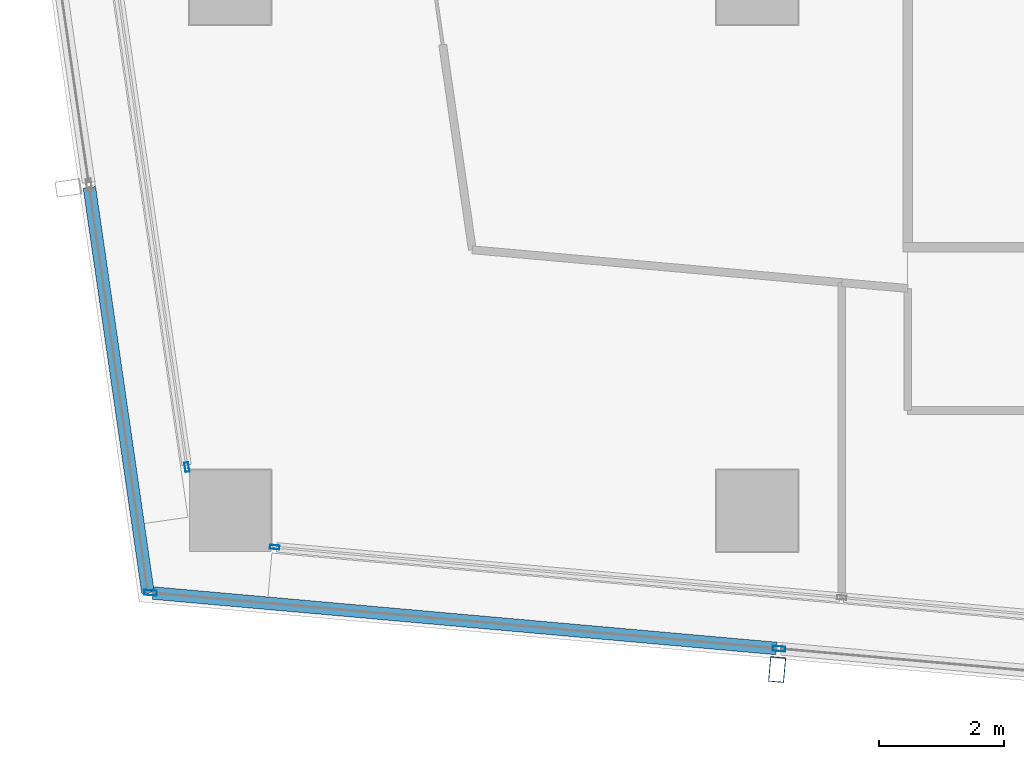
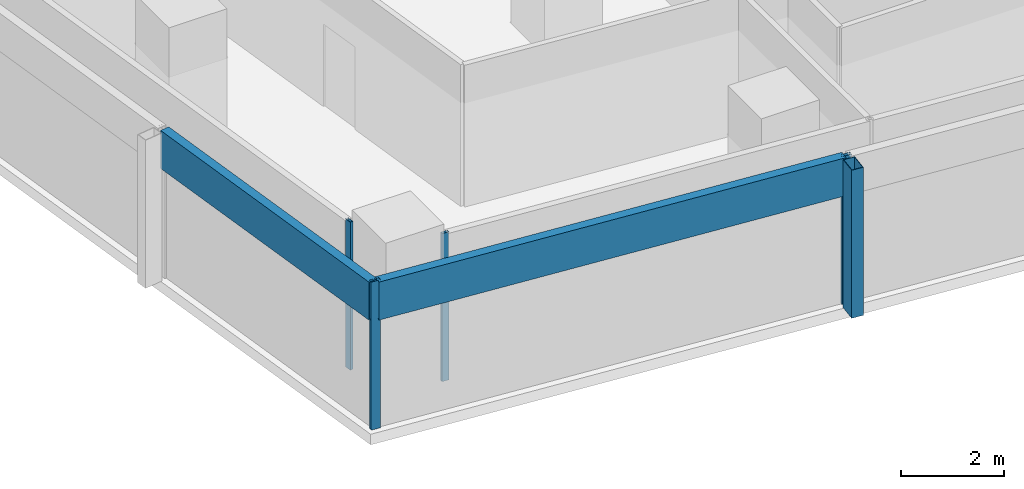
# One storey, part 2 of 29: 7 members, 4 elements without a shape of their own.
"""IFC4 building model written with IfcOpenShell, lengths in metres."""

from ifc_helpers import new_model, si_unit, direction, frame, origin, origin_2d, place, context, subcontext, project, spatial, hollow_rectangle, extrude, material, material_profile, profile_set, type_object, element, aggregate, save


model = new_model("IFC4")

# Units and contexts
model_context = context("Model", 3, precision=1e-05, world=origin(), true_north=direction((0.0, 1.0)))
body_context = subcontext(model_context, "Body", "Model", "MODEL_VIEW")
ifc_project = project(units=[si_unit("LENGTHUNIT", "METRE"), si_unit("AREAUNIT", "SQUARE_METRE"), si_unit("VOLUMEUNIT", "CUBIC_METRE"), si_unit("PLANEANGLEUNIT", "RADIAN"), si_unit("MASSUNIT", "GRAM", prefix="KILO")], contexts=[model_context])

# Site, building, storey
site_placement = place(None, origin())
site = spatial("IfcSite", under=ifc_project, at=site_placement, CompositionType="ELEMENT")
building_placement = place(site_placement, origin())
building = spatial("IfcBuilding", under=site, at=building_placement, Name="Rekha Terrace Tower", CompositionType="ELEMENT")
storey_placement = place(building_placement, frame((0.0, 0.0, 261.35009765625)))
storey = spatial("IfcBuildingStorey", under=building, at=storey_placement, Name="L66", CompositionType="ELEMENT", Elevation=261.35009765625)

# Curtain wall, member
ifc_material_1 = material(Name="Aluminium framing", Category="aluminium")
curtain_wall_type_1 = type_object("IfcCurtainWallType", Name="CW2 double skin outer glazing", PredefinedType="USERDEFINED", material=ifc_material_1)
curtain_wall_1_placement = place(storey_placement, origin())
curtain_wall_1 = element("IfcCurtainWall", 1, at=curtain_wall_1_placement, inside=storey, type_object=curtain_wall_type_1, Name="CW2 double skin outer glazing", ObjectType="DOUBLE SKIN OUTER GLAZING", PredefinedType="USERDEFINED")
ifc_material_2 = material(Name="Steel S355 with fluorocarbon finish", Category="steel")
ifc_material_profile_1 = material_profile(ifc_material_2, hollow_rectangle(XDim=0.25, YDim=0.39990234375, WallThickness=0.012451171875, at=origin_2d()), Name="RHS400x250x12.5")
ifc_profile_set_1 = profile_set([ifc_material_profile_1], Name="Steel S355 with fluorocarbon finish")
member_type_1 = type_object("IfcMemberType", Name="BL1 facade blade RHS 400 x 250", PredefinedType="USERDEFINED", material=ifc_profile_set_1)
member_1_placement = place(storey_placement, frame((17.118896484375, 14.2705078125, 0.0), z_axis=(0.0, 0.0, 1.0), x_axis=(0.996074197996, -0.088522268879, 0.0)))
member_1 = element("IfcMember", 2, at=member_1_placement, type_object=member_type_1, Name="Facade blade", ObjectType="FACADE BLADE", PredefinedType="USERDEFINED", context=body_context, shape_type="SweptSolid", body=[
    extrude(hollow_rectangle(XDim=0.25, YDim=0.39990234375, WallThickness=0.012451171875, at=origin_2d()), origin(), (0.0, 0.0, 1.0), 3.5),
])

curtain_wall_type_2 = type_object("IfcCurtainWallType", Name="CW1 double skin inner glazing", PredefinedType="USERDEFINED", material=ifc_material_1)
curtain_wall_2_placement = place(storey_placement, origin())
curtain_wall_2 = element("IfcCurtainWall", 3, at=curtain_wall_2_placement, inside=storey, type_object=curtain_wall_type_2, Name="CW1 double skin inner glazing", ObjectType="DOUBLE SKIN INNER GLAZING", PredefinedType="USERDEFINED")
ifc_material_3 = material(Name="Aluminium mullion section", Category="aluminium")
ifc_material_profile_2 = material_profile(ifc_material_3, hollow_rectangle(XDim=0.06494140625, YDim=0.14990234375, WallThickness=0.00390625, at=origin_2d()), Name="AL RHS 65x150")
ifc_profile_set_2 = profile_set([ifc_material_profile_2], Name="Aluminium mullion section")
member_type_2 = type_object("IfcMemberType", Name="CW1 mullion RHS 65 x 150", PredefinedType="MULLION", material=ifc_profile_set_2)
member_2_placement = place(storey_placement, frame((9.109130859375, 16.222412109375, 0.0), z_axis=(0.0, 0.0, 1.0), x_axis=(0.088522441405, 0.996074182663, 0.0)))
member_2 = element("IfcMember", 4, at=member_2_placement, type_object=member_type_2, Name="CW1 mullion 1", PredefinedType="MULLION", context=body_context, shape_type="SweptSolid", body=[
    extrude(hollow_rectangle(XDim=0.06494140625, YDim=0.14990234375, WallThickness=0.00390625, at=origin_2d()), origin(), (0.0, 0.0, 1.0), 3.5),
])
aggregate(curtain_wall_2, [member_2])

curtain_wall_3_placement = place(storey_placement, origin())
curtain_wall_3 = element("IfcCurtainWall", 5, at=curtain_wall_3_placement, inside=storey, type_object=curtain_wall_type_2, Name="CW1 double skin inner glazing", ObjectType="DOUBLE SKIN INNER GLAZING", PredefinedType="USERDEFINED")
member_3_placement = place(storey_placement, frame((7.71044921875, 17.497314453125, 0.0), z_axis=(0.0, 0.0, 1.0), x_axis=(0.989707031394, 0.143108322643, 0.0)))
member_3 = element("IfcMember", 6, at=member_3_placement, type_object=member_type_2, Name="CW1 mullion 2", PredefinedType="MULLION", context=body_context, shape_type="SweptSolid", body=[
    extrude(hollow_rectangle(XDim=0.06494140625, YDim=0.14990234375, WallThickness=0.00390625, at=origin_2d()), origin(), (0.0, 0.0, 1.0), 3.5),
])
aggregate(curtain_wall_3, [member_3])

# Member
ifc_material_profile_3 = material_profile(ifc_material_3, hollow_rectangle(XDim=0.080078125, YDim=0.199951171875, WallThickness=0.00390625, at=origin_2d()), Name="AL RHS 80x200")
ifc_profile_set_3 = profile_set([ifc_material_profile_3], Name="Aluminium mullion section")
member_type_3 = type_object("IfcMemberType", Name="CW2 mullion RHS 80 x 200", PredefinedType="MULLION", material=ifc_profile_set_3)
member_4_placement = place(storey_placement, frame((7.130126953125, 15.49462890625, 0.0), z_axis=(0.0, 0.0, 1.0), x_axis=(0.088522441457, 0.996074182658, 0.0)))
member_4 = element("IfcMember", 7, at=member_4_placement, type_object=member_type_3, Name="CW2 mullion 1", PredefinedType="MULLION", context=body_context, shape_type="SweptSolid", body=[
    extrude(hollow_rectangle(XDim=0.080078125, YDim=0.199951171875, WallThickness=0.00390625, at=origin_2d()), origin(), (0.0, 0.0, 1.0), 3.5),
])

member_5_placement = place(storey_placement, frame((17.1484375, 14.604248046875, 0.0), z_axis=(0.0, 0.0, 1.0), x_axis=(0.088522441457, 0.996074182658, 0.0)))
member_5 = element("IfcMember", 8, at=member_5_placement, type_object=member_type_3, Name="CW2 mullion 2", PredefinedType="MULLION", context=body_context, shape_type="SweptSolid", body=[
    extrude(hollow_rectangle(XDim=0.080078125, YDim=0.199951171875, WallThickness=0.00390625, at=origin_2d()), origin(), (0.0, 0.0, 1.0), 3.5),
])

ifc_material_4 = material(Name="Insulated aluminium spandrel box", Category="aluminium")
ifc_material_profile_4 = material_profile(ifc_material_4, hollow_rectangle(XDim=0.199951171875, YDim=0.89990234375, WallThickness=0.0029296875, at=origin_2d()), Name="AL SPANDREL BOX 200x900")
ifc_profile_set_4 = profile_set([ifc_material_profile_4], Name="Insulated aluminium spandrel box")
member_type_4 = type_object("IfcMemberType", Name="CW2 spandrel transom 200 x 900", PredefinedType="USERDEFINED", material=ifc_profile_set_4)
member_6_placement = place(storey_placement, frame((7.169921875, 15.490966796875, 3.0498046875), z_axis=(0.996076044645, -0.088501487472, 0.0), x_axis=(0.088501487472, 0.996076044645, 0.0)))
member_6 = element("IfcMember", 9, at=member_6_placement, type_object=member_type_4, Name="CW2 spandrel transom 1", ObjectType="TRANSOM", PredefinedType="USERDEFINED", context=body_context, shape_type="SweptSolid", body=[
    extrude(hollow_rectangle(XDim=0.199951171875, YDim=0.89990234375, WallThickness=0.0029296875, at=origin_2d()), origin(), (0.0, 0.0, 1.0), 9.977783203125),
])

aggregate(curtain_wall_1, [member_4, member_5, member_6, member_1])

# Curtain wall, member
curtain_wall_4_placement = place(storey_placement, origin())
curtain_wall_4 = element("IfcCurtainWall", 10, at=curtain_wall_4_placement, inside=storey, type_object=curtain_wall_type_1, Name="CW2 double skin outer glazing", ObjectType="DOUBLE SKIN OUTER GLAZING", PredefinedType="USERDEFINED")
member_7_placement = place(storey_placement, frame((6.15625, 21.95703125, 3.0498046875), z_axis=(0.143128512687, -0.989704111771, 0.0), x_axis=(0.989704111771, 0.143128512687, 0.0)))
member_7 = element("IfcMember", 11, at=member_7_placement, type_object=member_type_4, Name="CW2 spandrel transom 2", ObjectType="TRANSOM", PredefinedType="USERDEFINED", context=body_context, shape_type="SweptSolid", body=[
    extrude(hollow_rectangle(XDim=0.199951171875, YDim=0.89990234375, WallThickness=0.0029296875, at=origin_2d()), origin(), (0.0, 0.0, 1.0), 6.526123046875),
])
aggregate(curtain_wall_4, [member_7])

save(model, "model.ifc")
